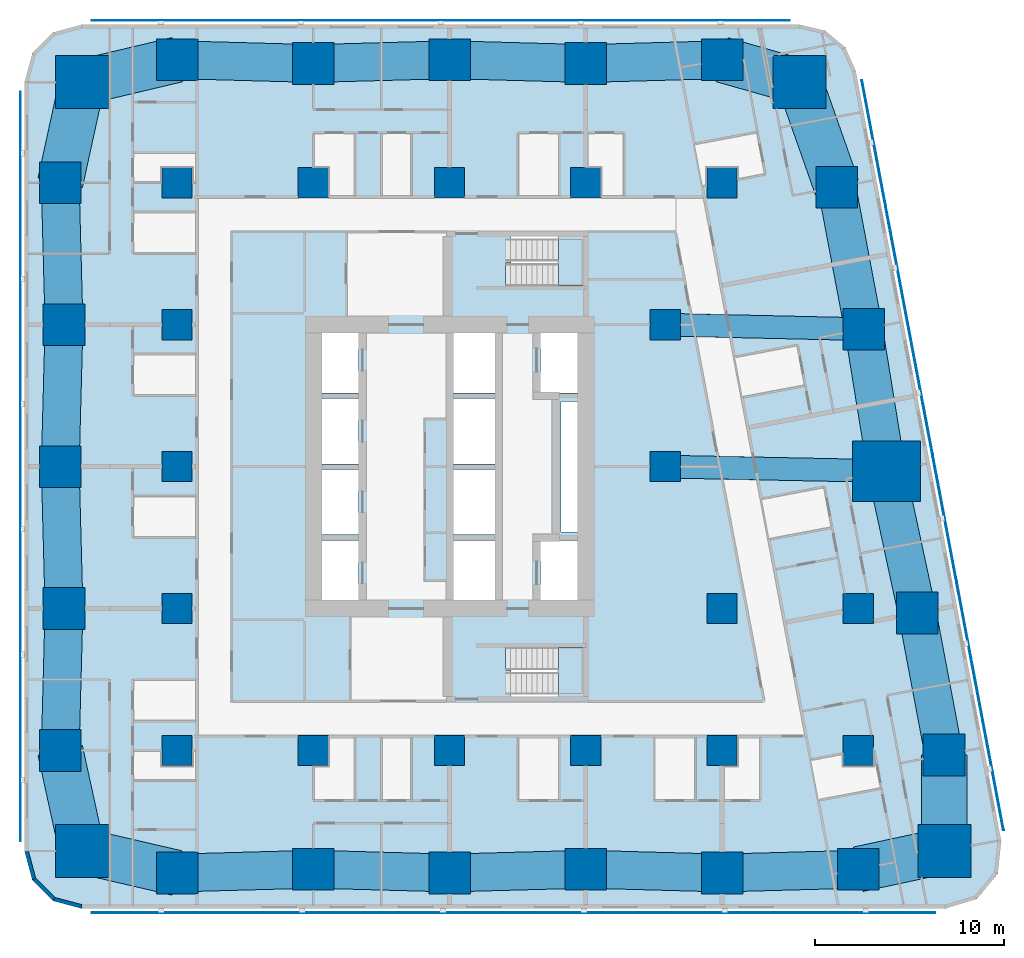
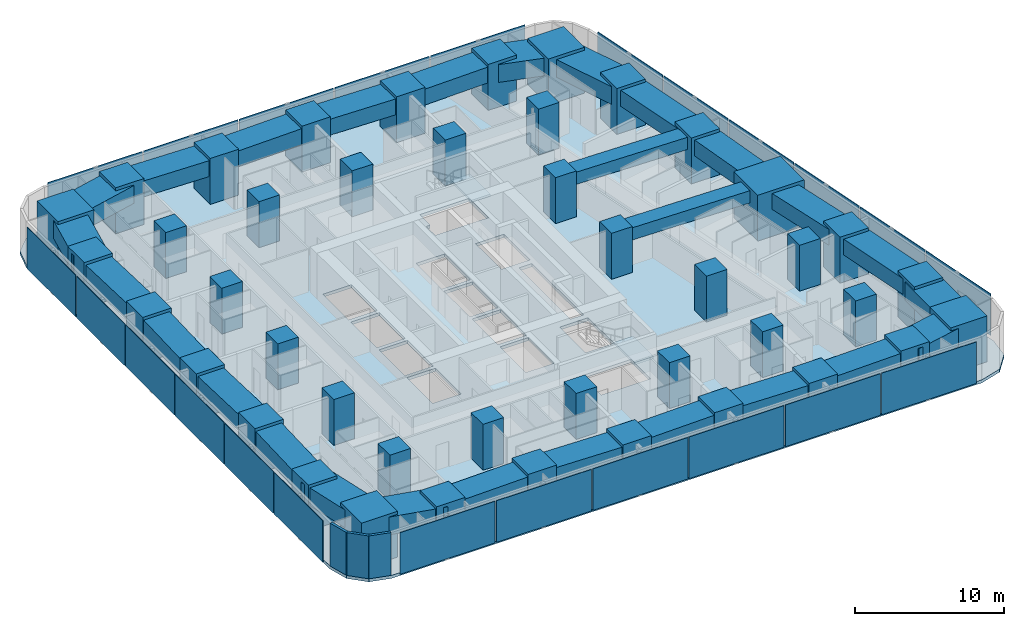
# One storey, part 1 of 14: 43 columns, 27 beams, 23 plates, 3 slabs, 3 walls, 2 elements without a shape of their own.
"""IFC4 building model written with IfcOpenShell, lengths in metres."""

import ifcopenshell
import ifcopenshell.guid

model = None  # the IFC model being written
_history = None  # IfcOwnerHistory: only IFC2X3 demands one
_inside = {}  # id of a spatial element -> (the spatial element, [elements in it])
_under = {}  # id of a project, library or spatial element -> (it, [spatial elements below it])
_declared = {}  # id of a project -> (the project, [libraries it declares])
_typed = {}  # id of a type object -> (the type object, [elements of that type])
_made_of = {}  # id of a material, layer set ... -> (it, [elements and type objects made of it])


def new_model(schema):
    """Start an empty IFC model of exactly this schema.

    Asked for "IFC4X3", IfcOpenShell would pick the latest addendum, in which some entities
    have other attributes; the version numbers below select the first issue.
    IFC2X3 requires an IfcOwnerHistory on every rooted entity: one is made here for all.
    """
    global model, _history
    if schema == "IFC4X3":
        model = ifcopenshell.file(schema_version=(4, 3, 0, 0))
    else:
        model = ifcopenshell.file(schema=schema)
    _inside.clear()
    _under.clear()
    _declared.clear()
    _typed.clear()
    _made_of.clear()
    _history = None
    if model.schema == "IFC2X3":
        org = make("IfcOrganization", Name="unknown")
        user = make(
            "IfcPersonAndOrganization",
            ThePerson=make("IfcPerson", FamilyName="unknown"),
            TheOrganization=org,
        )
        app = make(
            "IfcApplication",
            ApplicationDeveloper=org,
            Version="unknown",
            ApplicationFullName="unknown",
            ApplicationIdentifier="unknown",
        )
        _history = make(
            "IfcOwnerHistory",
            OwningUser=user,
            OwningApplication=app,
            ChangeAction="ADDED",
            CreationDate=0,
        )
    return model


def make(cls, **values):
    """One entity of the class cls with the attributes given. An attribute that is None is left unset."""
    return model.create_entity(
        cls, **{name: value for name, value in values.items() if value is not None}
    )


def rooted(cls, **values):
    """An entity with a GlobalId (a new one), such as an element, a storey or a relation."""
    return make(cls, GlobalId=ifcopenshell.guid.new(), OwnerHistory=_history, **values)


def si_unit(unit_type, name, prefix=None):
    """IfcSIUnit, for example si_unit("LENGTHUNIT", "METRE", prefix="MILLI")."""
    return make("IfcSIUnit", UnitType=unit_type, Prefix=prefix, Name=name)


def assignment(units):
    """IfcUnitAssignment: the units of a project."""
    return None if units is None else make("IfcUnitAssignment", Units=units)


def point(xyz):
    """IfcCartesianPoint."""
    return None if xyz is None else make("IfcCartesianPoint", Coordinates=xyz)


def direction(xyz):
    """IfcDirection."""
    return None if xyz is None else make("IfcDirection", DirectionRatios=xyz)


def frame(location, z_axis=None, x_axis=None):
    """IfcAxis2Placement3D, a coordinate frame: its origin and axes. An axis left out is left unset."""
    return make(
        "IfcAxis2Placement3D",
        Location=point(location),
        Axis=direction(z_axis),
        RefDirection=direction(x_axis),
    )


def frame_2d(location, x_axis=None):
    """IfcAxis2Placement2D, a coordinate frame in the plane: its origin and x axis."""
    return make(
        "IfcAxis2Placement2D", Location=point(location), RefDirection=direction(x_axis)
    )


def origin():
    """The frame at (0, 0, 0) with its axes left unset."""
    return frame((0.0, 0.0, 0.0))


def origin_2d():
    """The frame at (0, 0) in the plane with its x axis left unset."""
    return frame_2d((0.0, 0.0))


def place(relative_to, where):
    """IfcLocalPlacement: puts the frame where relative to a parent placement (None: the world)."""
    return make(
        "IfcLocalPlacement", PlacementRelTo=relative_to, RelativePlacement=where
    )


def context(
    kind, dimensions, precision=None, world=None, true_north=None, identifier=None
):
    """IfcGeometricRepresentationContext, for example the 3D "Model" context."""
    return make(
        "IfcGeometricRepresentationContext",
        ContextIdentifier=identifier,
        ContextType=kind,
        CoordinateSpaceDimension=dimensions,
        Precision=precision,
        WorldCoordinateSystem=world,
        TrueNorth=true_north,
    )


def subcontext(parent, identifier, kind, view, scale=None):
    """IfcGeometricRepresentationSubContext, for example "Body" below "Model"."""
    return make(
        "IfcGeometricRepresentationSubContext",
        ContextIdentifier=identifier,
        ContextType=kind,
        ParentContext=parent,
        TargetScale=scale,
        TargetView=view,
    )


def project(units=None, contexts=None):
    """IfcProject with its units and contexts."""
    return rooted(
        "IfcProject",
        Name="project",
        RepresentationContexts=contexts,
        UnitsInContext=assignment(units),
    )


def spatial(cls, under=None, at=None, **own):
    """A site, building, storey or space (cls), placed at a placement, below another one or the project."""
    s = rooted(cls, ObjectPlacement=at, **own)
    if under is not None:
        _under.setdefault(under.id(), (under, []))[1].append(s)
    return s


def polyline(points):
    """IfcPolyline through the points."""
    return make("IfcPolyline", Points=[point(p) for p in points])


def profile(cls, at=None, kind="AREA", **sizes):
    """A parametric profile (cls). Its sizes go by their IFC names, for example OverallWidth=200.0."""
    return make(cls, ProfileType=kind, Position=at, **sizes)


def rectangle(**sizes):
    """IfcRectangleProfileDef."""
    return profile("IfcRectangleProfileDef", **sizes)


def outline(outer, holes=None, kind="AREA"):
    """IfcArbitraryClosedProfileDef: a profile drawn as a closed curve; with holes, ...WithVoids."""
    if holes is None:
        return make("IfcArbitraryClosedProfileDef", ProfileType=kind, OuterCurve=outer)
    return make(
        "IfcArbitraryProfileDefWithVoids",
        ProfileType=kind,
        OuterCurve=outer,
        InnerCurves=holes,
    )


def extrude(swept, where, along, depth):
    """IfcExtrudedAreaSolid: the profile swept, set in the frame where, extruded along a direction by depth."""
    return make(
        "IfcExtrudedAreaSolid",
        SweptArea=swept,
        Position=where,
        ExtrudedDirection=direction(along),
        Depth=depth,
    )


def shape(context_of_items, identifier, shape_type, items):
    """IfcShapeRepresentation: the items that make up one representation, for example the "Body"."""
    return make(
        "IfcShapeRepresentation",
        ContextOfItems=context_of_items,
        RepresentationIdentifier=identifier,
        RepresentationType=shape_type,
        Items=items,
    )


def material(Name=None, Category=None):
    """IfcMaterial."""
    return make("IfcMaterial", Name=Name, Category=Category)


def layer(
    of_material, thickness, ventilated=None, Name=None, Category=None, Priority=None
):
    """IfcMaterialLayer: one layer of a wall or slab, of a material (None: an air gap)."""
    return make(
        "IfcMaterialLayer",
        Material=of_material,
        LayerThickness=thickness,
        IsVentilated=ventilated,
        Name=Name,
        Category=Category,
        Priority=Priority,
    )


def layer_set(layers, Name=None):
    """IfcMaterialLayerSet."""
    return make("IfcMaterialLayerSet", MaterialLayers=layers, LayerSetName=Name)


def material_profile(
    of_material, cross_section, Name=None, Category=None, Priority=None
):
    """IfcMaterialProfile: a cross section and its material."""
    return make(
        "IfcMaterialProfile",
        Name=Name,
        Material=of_material,
        Profile=cross_section,
        Priority=Priority,
        Category=Category,
    )


def profile_set(profiles, Name=None, composite=None):
    """IfcMaterialProfileSet."""
    return make(
        "IfcMaterialProfileSet",
        Name=Name,
        MaterialProfiles=profiles,
        CompositeProfile=composite,
    )


def made_of(thing, what):
    """Note that an element or type object is made of a material, layer set ...; save() writes the relation."""
    if what is not None:
        _made_of.setdefault(what.id(), (what, []))[1].append(thing)
    return thing


def type_object(cls, material=None, **own):
    """A type object (cls), such as IfcWallType, which elements share."""
    return made_of(rooted(cls, **own), material)


def element(
    cls,
    number,
    at=None,
    inside=None,
    cuts=None,
    type_object=None,
    material=None,
    context=None,
    identifier="Body",
    shape_type=None,
    held_by="IfcProductDefinitionShape",
    body=None,
    shapes=None,
    **own,
):
    """One element of the class cls, such as IfcWall. Its Tag is "e" and its number.

    at: its placement. inside: the storey or other place that contains it. cuts: it is an
    opening in that element (IfcRelVoidsElement). A single representation is given by context,
    identifier, shape_type and body (its items); several are given by shapes. held_by: the class
    of the entity that holds the representations. save() writes the other relations.
    """
    e = rooted(cls, Tag="e%d" % number, ObjectPlacement=at, **own)
    if body is not None:
        shapes = [shape(context, identifier, shape_type, body)]
    if shapes is not None:
        e.Representation = make(held_by, Representations=shapes)
    if inside is not None:
        _inside.setdefault(inside.id(), (inside, []))[1].append(e)
    if cuts is not None:
        rooted(
            "IfcRelVoidsElement", RelatingBuildingElement=cuts, RelatedOpeningElement=e
        )
    if type_object is not None:
        _typed.setdefault(type_object.id(), (type_object, []))[1].append(e)
    return made_of(e, material)


def aggregate(whole, parts):
    """IfcRelAggregates: a whole, such as a stair, and the parts it consists of."""
    return rooted("IfcRelAggregates", RelatingObject=whole, RelatedObjects=parts)


def save(model, path):
    """Write the relations noted so far, then the file.

    IfcRelAggregates (storeys below a building ...), IfcRelContainedInSpatialStructure (elements
    in a storey), IfcRelDefinesByType, IfcRelAssociatesMaterial and IfcRelDeclares: one each for
    every whole, place, type object, material and project.
    """
    for whole, parts in _under.values():
        aggregate(whole, parts)
    for where, things in _inside.values():
        rooted(
            "IfcRelContainedInSpatialStructure",
            RelatedElements=things,
            RelatingStructure=where,
        )
    for kind, things in _typed.values():
        rooted("IfcRelDefinesByType", RelatedObjects=things, RelatingType=kind)
    for what, things in _made_of.values():
        rooted("IfcRelAssociatesMaterial", RelatedObjects=things, RelatingMaterial=what)
    for by, libraries in _declared.values():
        rooted("IfcRelDeclares", RelatingContext=by, RelatedDefinitions=libraries)
    model.write(path)


model = new_model("IFC4")

# Units and contexts
model_context = context("Model", 3, precision=1e-05, world=origin(), true_north=direction((0.0, 1.0)))
body_context = subcontext(model_context, "Body", "Model", "MODEL_VIEW")
ifc_project = project(units=[si_unit("LENGTHUNIT", "METRE"), si_unit("AREAUNIT", "SQUARE_METRE"), si_unit("VOLUMEUNIT", "CUBIC_METRE"), si_unit("PLANEANGLEUNIT", "RADIAN"), si_unit("MASSUNIT", "GRAM", prefix="KILO")], contexts=[model_context])

# Site, building, storey
site_placement = place(None, origin())
site = spatial("IfcSite", under=ifc_project, at=site_placement, CompositionType="ELEMENT")
building_placement = place(site_placement, origin())
building = spatial("IfcBuilding", under=site, at=building_placement, Name="Sheger Commons Tower", CompositionType="ELEMENT")
storey_placement = place(building_placement, frame((0.0, 0.0, 122.89990234375)))
storey = spatial("IfcBuildingStorey", under=building, at=storey_placement, Name="L31", CompositionType="ELEMENT", Elevation=122.89990234375)

# Columns
ifc_material_1 = material(Name="Concrete C50/60", Category="concrete")
ifc_material_profile_1 = material_profile(ifc_material_1, rectangle(XDim=3.60009765625, YDim=3.199951171875, at=origin_2d()), Name="RC 3600x3200")
ifc_profile_set_1 = profile_set([ifc_material_profile_1], Name="Concrete C50/60")
column_type_1 = type_object("IfcColumnType", Name="COLUMN PIER RC 3600x3200", PredefinedType="COLUMN", material=ifc_profile_set_1)
column_placement = place(storey_placement, frame((44.697021484375, 22.262939453125, 0.0), z_axis=(0.0, 0.0, 1.0), x_axis=(1.0, 0.0, 0.0)))
element("IfcColumn", 1, at=column_placement, inside=storey, type_object=column_type_1, Name="Pier 7/D+E/D L31", PredefinedType="COLUMN", context=body_context, shape_type="SweptSolid", body=[
    extrude(rectangle(XDim=3.60009765625, YDim=3.199951171875, at=origin_2d()), origin(), (0.0, 0.0, 1.0), 3.75),
])
ifc_material_2 = material(Name="Concrete C50/60", Category="concrete")
ifc_material_profile_2 = material_profile(ifc_material_2, rectangle(XDim=1.60009765625, YDim=1.60009765625, at=origin_2d()), Name="RC 1600x1600")
ifc_profile_set_2 = profile_set([ifc_material_profile_2], Name="Concrete C50/60")
column_type_2 = type_object("IfcColumnType", Name="COLUMN RC 1600x1600", PredefinedType="COLUMN", material=ifc_profile_set_2)
for number, where, z_axis, x_axis, name in (
    (2, (7.199951171875, 7.5, 0.0), (0.0, 0.0, 1.0), (1.0, 0.0, 0.0), "Column 2/B L31"),
    (3, (14.39990234375, 7.5, 0.0), (0.0, 0.0, 1.0), (1.0, 0.0, 0.0), "Column 3/B L31"),
    (4, (21.60009765625, 7.5, 0.0), (0.0, 0.0, 1.0), (1.0, 0.0, 0.0), "Column 4/B L31"),
    (5, (28.800048828125, 7.5, 0.0), (0.0, 0.0, 1.0), (1.0, 0.0, 0.0), "Column 5/B L31"),
    (6, (36.0, 7.5, 0.0), (0.0, 0.0, 1.0), (1.0, 0.0, 0.0), "Column 6/B L31"),
    (7, (43.199951171875, 7.5, 0.0), (0.0, 0.0, 1.0), (1.0, 0.0, 0.0), "Column 7/B L31"),
    (8, (7.199951171875, 15.0, 0.0), (0.0, 0.0, 1.0), (1.0, 0.0, 0.0), "Column 2/C L31"),
    (9, (36.0, 15.0, 0.0), (0.0, 0.0, 1.0), (1.0, 0.0, 0.0), "Column 6/C L31"),
    (10, (43.199951171875, 15.0, 0.0), (0.0, 0.0, 1.0), (1.0, 0.0, 0.0), "Column 7/C L31"),
    (11, (7.199951171875, 22.5, 0.0), (0.0, 0.0, 1.0), (1.0, 0.0, 0.0), "Column 2/D L31"),
    (12, (33.0, 22.5, 0.0), (0.0, 0.0, 1.0), (1.0, 0.0, 0.0), "Column 6-3000/D L31"),
    (13, (7.199951171875, 30.0, 0.0), (0.0, 0.0, 1.0), (1.0, 0.0, 0.0), "Column 2/E L31"),
    (14, (33.0, 30.0, 0.0), (0.0, 0.0, 1.0), (1.0, 0.0, 0.0), "Column 6-3000/E L31"),
    (15, (7.199951171875, 37.5, 0.0), (0.0, 0.0, 1.0), (1.0, 0.0, 0.0), "Column 2/F L31"),
    (16, (14.39990234375, 37.5, 0.0), (0.0, 0.0, 1.0), (1.0, 0.0, 0.0), "Column 3/F L31"),
    (17, (21.60009765625, 37.5, 0.0), (0.0, 0.0, 1.0), (1.0, 0.0, 0.0), "Column 4/F L31"),
    (18, (28.800048828125, 37.5, 0.0), (0.0, 0.0, 1.0), (1.0, 0.0, 0.0), "Column 5/F L31"),
    (19, (36.0, 37.5, 0.0), (0.0, 0.0, 1.0), (1.0, 0.0, 0.0), "Column 6/F L31"),
):
    element("IfcColumn", number, at=place(storey_placement, frame(where, z_axis=z_axis, x_axis=x_axis)), inside=storey, type_object=column_type_2, Name=name, PredefinedType="COLUMN", context=body_context, shape_type="SweptSolid", body=[
        extrude(rectangle(XDim=1.60009765625, YDim=1.60009765625, at=origin_2d()), origin(), (0.0, 0.0, 1.0), 3.75),
    ])
ifc_material_3 = material(Name="Concrete C50/60", Category="concrete")
ifc_material_profile_3 = material_profile(ifc_material_3, rectangle(XDim=2.199951171875, YDim=2.199951171875, at=origin_2d()), Name="RC 2200x2200")
ifc_profile_set_3 = profile_set([ifc_material_profile_3], Name="Concrete C50/60")
column_type_3 = type_object("IfcColumnType", Name="COLUMN RC 2200x2200", PredefinedType="COLUMN", material=ifc_profile_set_3)
for number, where, z_axis, x_axis, name in (
    (20, (7.199951171875, 1.02490234375, 0.0), (0.0, 0.0, 1.0), (1.0, 0.0, 0.0), "Column 2/A L31"),
    (21, (14.39990234375, 1.22509765625, 0.0), (0.0, 0.0, 1.0), (1.0, 0.0, 0.0), "Column 3/A L31"),
    (22, (21.60009765625, 1.02490234375, 0.0), (0.0, 0.0, 1.0), (1.0, 0.0, 0.0), "Column 4/A L31"),
    (23, (28.800048828125, 1.22509765625, 0.0), (0.0, 0.0, 1.0), (1.0, 0.0, 0.0), "Column 5/A L31"),
    (24, (36.0, 1.02490234375, 0.0), (0.0, 0.0, 1.0), (1.0, 0.0, 0.0), "Column 6/A L31"),
    (25, (43.199951171875, 1.22509765625, 0.0), (0.0, 0.0, 1.0), (1.0, 0.0, 0.0), "Column 7/A L31"),
    (26, (1.02490234375, 7.5, 0.0), (0.0, 0.0, 1.0), (1.0, 0.0, 0.0), "Column 1/B L31"),
    (27, (47.72998046875, 7.262939453125, 0.0), (0.0, 0.0, 1.0), (1.0, 0.0, 0.0), "Column E/B L31"),
    (28, (1.22509765625, 15.0, 0.0), (0.0, 0.0, 1.0), (1.0, 0.0, 0.0), "Column 1/C L31"),
    (29, (46.31396484375, 14.762939453125, 0.0), (0.0, 0.0, 1.0), (1.0, 0.0, 0.0), "Column E/C L31"),
    (30, (1.02490234375, 22.5, 0.0), (0.0, 0.0, 1.0), (1.0, 0.0, 0.0), "Column 1/D L31"),
    (31, (1.22509765625, 30.0, 0.0), (0.0, 0.0, 1.0), (1.0, 0.0, 0.0), "Column 1/E L31"),
    (32, (43.47998046875, 29.762939453125, 0.0), (0.0, 0.0, 1.0), (1.0, 0.0, 0.0), "Column E/E L31"),
    (33, (1.02490234375, 37.5, 0.0), (0.0, 0.0, 1.0), (1.0, 0.0, 0.0), "Column 1/F L31"),
    (34, (42.06396484375, 37.262939453125, 0.0), (0.0, 0.0, 1.0), (1.0, 0.0, 0.0), "Column E/F L31"),
    (35, (7.199951171875, 44.0, 0.0), (0.0, 0.0, 1.0), (1.0, 0.0, 0.0), "Column 2/G L31"),
    (36, (14.39990234375, 43.800048828125, 0.0), (0.0, 0.0, 1.0), (1.0, 0.0, 0.0), "Column 3/G L31"),
    (37, (21.60009765625, 44.0, 0.0), (0.0, 0.0, 1.0), (1.0, 0.0, 0.0), "Column 4/G L31"),
    (38, (28.800048828125, 43.800048828125, 0.0), (0.0, 0.0, 1.0), (1.0, 0.0, 0.0), "Column 5/G L31"),
    (39, (36.0, 44.0, 0.0), (0.0, 0.0, 1.0), (1.0, 0.0, 0.0), "Column 6/G L31"),
):
    element("IfcColumn", number, at=place(storey_placement, frame(where, z_axis=z_axis, x_axis=x_axis)), inside=storey, type_object=column_type_3, Name=name, PredefinedType="COLUMN", context=body_context, shape_type="SweptSolid", body=[
        extrude(rectangle(XDim=2.199951171875, YDim=2.199951171875, at=origin_2d()), origin(), (0.0, 0.0, 1.0), 3.75),
    ])
ifc_material_4 = material(Name="Concrete C50/60", Category="concrete")
ifc_material_profile_4 = material_profile(ifc_material_4, rectangle(XDim=2.800048828125, YDim=2.800048828125, at=origin_2d()), Name="RC 2800x2800")
ifc_profile_set_4 = profile_set([ifc_material_profile_4], Name="Concrete C50/60")
column_type_4 = type_object("IfcColumnType", Name="COLUMN RC 2800x2800", PredefinedType="COLUMN", material=ifc_profile_set_4)
for number, where, z_axis, x_axis, name in (
    (40, (2.18603515625, 2.18603515625, 0.0), (0.0, 0.0, 1.0), (1.0, 0.0, 0.0), "Column 0.630,0.630 L31"),
    (41, (47.748046875, 2.197021484375, 0.0), (0.0, 0.0, 1.0), (1.0, 0.0, 0.0), "Column 49.461,0.778 L31"),
    (42, (2.18603515625, 42.81396484375, 0.0), (0.0, 0.0, 1.0), (1.0, 0.0, 0.0), "Column 0.630,44.370 L31"),
    (43, (40.10205078125, 42.830078125, 0.0), (0.0, 0.0, 1.0), (1.0, 0.0, 0.0), "Column 41.490,44.505 L31"),
):
    element("IfcColumn", number, at=place(storey_placement, frame(where, z_axis=z_axis, x_axis=x_axis)), inside=storey, type_object=column_type_4, Name=name, PredefinedType="COLUMN", context=body_context, shape_type="SweptSolid", body=[
        extrude(rectangle(XDim=2.800048828125, YDim=2.800048828125, at=origin_2d()), origin(), (0.0, 0.0, 1.0), 3.75),
    ])

# Beams
ifc_material_5 = material(Name="Concrete C50/60", Category="concrete")
ifc_material_profile_5 = material_profile(ifc_material_5, rectangle(XDim=1.199951171875, YDim=1.0, at=origin_2d()), Name="RC 1200x1000")
ifc_profile_set_5 = profile_set([ifc_material_profile_5], Name="Concrete C50/60")
beam_type_1 = type_object("IfcBeamType", Name="BEAM RC 1200x1000", PredefinedType="BEAM", material=ifc_profile_set_5)
beam_1_placement = place(storey_placement, frame((33.0, 22.5, 3.0), z_axis=(0.999794692776, -0.02026258368, 0.0), x_axis=(0.02026258368, 0.999794692776, 0.0)))
element("IfcBeam", 44, at=beam_1_placement, inside=storey, type_object=beam_type_1, Name="Beam 6-3000/D-7/D under L32", PredefinedType="BEAM", context=body_context, shape_type="SweptSolid", body=[
    extrude(rectangle(XDim=1.199951171875, YDim=1.0, at=origin_2d()), origin(), (0.0, 0.0, 1.0), 11.699462890625),
])
beam_2_placement = place(storey_placement, frame((33.0, 30.0, 3.0), z_axis=(0.999744258625, -0.022614538395, 0.0), x_axis=(0.022614538395, 0.999744258625, 0.0)))
element("IfcBeam", 45, at=beam_2_placement, inside=storey, type_object=beam_type_1, Name="Beam 6-3000/E-E/E under L32", PredefinedType="BEAM", context=body_context, shape_type="SweptSolid", body=[
    extrude(rectangle(XDim=1.199951171875, YDim=1.0, at=origin_2d()), origin(), (0.0, 0.0, 1.0), 10.482666015625),
])
ifc_material_6 = material(Name="Concrete C50/60", Category="concrete")
ifc_material_profile_6 = material_profile(ifc_material_6, rectangle(XDim=2.0, YDim=1.300048828125, at=origin_2d()), Name="RC 2000x1300")
ifc_profile_set_6 = profile_set([ifc_material_profile_6], Name="Concrete C50/60")
beam_type_2 = type_object("IfcBeamType", Name="SPANDREL RC 2000x1300", PredefinedType="SPANDREL", material=ifc_profile_set_6)
beam_3_placement = place(storey_placement, frame((7.199951171875, 1.02490234375, 2.85009765625), z_axis=(0.9996136624, 0.027794350926, 0.0), x_axis=(-0.027794350926, 0.9996136624, 0.0)))
element("IfcBeam", 46, at=beam_3_placement, inside=storey, type_object=beam_type_2, Name="Beam 2/A-3/A under L32", PredefinedType="SPANDREL", context=body_context, shape_type="SweptSolid", body=[
    extrude(rectangle(XDim=2.0, YDim=1.300048828125, at=origin_2d()), origin(), (0.0, 0.0, 1.0), 7.20263671875),
])
beam_4_placement = place(storey_placement, frame((14.39990234375, 1.22509765625, 2.85009765625), z_axis=(0.999613688584, -0.027793409217, 0.0), x_axis=(0.027793409217, 0.999613688584, 0.0)))
element("IfcBeam", 47, at=beam_4_placement, inside=storey, type_object=beam_type_2, Name="Beam 3/A-4/A under L32", PredefinedType="SPANDREL", context=body_context, shape_type="SweptSolid", body=[
    extrude(rectangle(XDim=2.0, YDim=1.300048828125, at=origin_2d()), origin(), (0.0, 0.0, 1.0), 7.202880859375),
])
for number, where, z_axis, x_axis, name in (
    (48, (21.60009765625, 1.02490234375, 2.85009765625), (0.9996136624, 0.027794350926, 0.0), (-0.027794350926, 0.9996136624, 0.0), "Beam 4/A-5/A under L32"),
    (49, (28.800048828125, 1.22509765625, 2.85009765625), (0.9996136624, -0.027794350926, 0.0), (0.027794350926, 0.9996136624, 0.0), "Beam 5/A-6/A under L32"),
    (50, (36.0, 1.02490234375, 2.85009765625), (0.9996136624, 0.027794350926, 0.0), (-0.027794350926, 0.9996136624, 0.0), "Beam 6/A-7/A under L32"),
):
    element("IfcBeam", number, at=place(storey_placement, frame(where, z_axis=z_axis, x_axis=x_axis)), inside=storey, type_object=beam_type_2, Name=name, PredefinedType="SPANDREL", context=body_context, shape_type="SweptSolid", body=[
        extrude(rectangle(XDim=2.0, YDim=1.300048828125, at=origin_2d()), origin(), (0.0, 0.0, 1.0), 7.20263671875),
    ])
beam_5_placement = place(storey_placement, frame((47.72998046875, 7.262939453125, 2.85009765625), z_axis=(-0.18552441405, 0.982639655108, 0.0), x_axis=(-0.982639655108, -0.18552441405, 0.0)))
element("IfcBeam", 51, at=beam_5_placement, inside=storey, type_object=beam_type_2, Name="Beam E/B-E/C under L32", PredefinedType="SPANDREL", context=body_context, shape_type="SweptSolid", body=[
    extrude(rectangle(XDim=2.0, YDim=1.300048828125, at=origin_2d()), origin(), (0.0, 0.0, 1.0), 7.632568359375),
])
beam_6_placement = place(storey_placement, frame((46.31396484375, 14.762939453125, 2.85009765625), z_axis=(-0.210750229323, 0.977539943348, 0.0), x_axis=(-0.977539943348, -0.210750229323, 0.0)))
element("IfcBeam", 52, at=beam_6_placement, inside=storey, type_object=beam_type_2, Name="Beam E/C-E/D under L32", PredefinedType="SPANDREL", context=body_context, shape_type="SweptSolid", body=[
    extrude(rectangle(XDim=2.0, YDim=1.300048828125, at=origin_2d()), origin(), (0.0, 0.0, 1.0), 7.67236328125),
])
beam_7_placement = place(storey_placement, frame((44.697021484375, 22.262939453125, 2.85009765625), z_axis=(-0.160176929512, 0.987088319884, 0.0), x_axis=(-0.987088319884, -0.160176929512, 0.0)))
element("IfcBeam", 53, at=beam_7_placement, inside=storey, type_object=beam_type_2, Name="Beam E/D-E/E under L32", PredefinedType="SPANDREL", context=body_context, shape_type="SweptSolid", body=[
    extrude(rectangle(XDim=2.0, YDim=1.300048828125, at=origin_2d()), origin(), (0.0, 0.0, 1.0), 7.59814453125),
])
beam_8_placement = place(storey_placement, frame((43.47998046875, 29.762939453125, 2.85009765625), z_axis=(-0.18552441405, 0.982639655108, 0.0), x_axis=(-0.982639655108, -0.18552441405, 0.0)))
element("IfcBeam", 54, at=beam_8_placement, inside=storey, type_object=beam_type_2, Name="Beam E/E-E/F under L32", PredefinedType="SPANDREL", context=body_context, shape_type="SweptSolid", body=[
    extrude(rectangle(XDim=2.0, YDim=1.300048828125, at=origin_2d()), origin(), (0.0, 0.0, 1.0), 7.632568359375),
])
for number, where, z_axis, x_axis, name in (
    (55, (36.0, 44.0, 2.85009765625), (-0.999614603568, -0.027760481514, 0.0), (0.027760481514, -0.999614603568, 0.0), "Beam 6/G-5/G under L32"),
    (56, (28.800048828125, 43.800048828125, 2.85009765625), (-0.999614603568, 0.027760481514, 0.0), (-0.027760481514, -0.999614603568, 0.0), "Beam 5/G-4/G under L32"),
):
    element("IfcBeam", number, at=place(storey_placement, frame(where, z_axis=z_axis, x_axis=x_axis)), inside=storey, type_object=beam_type_2, Name=name, PredefinedType="SPANDREL", context=body_context, shape_type="SweptSolid", body=[
        extrude(rectangle(XDim=2.0, YDim=1.300048828125, at=origin_2d()), origin(), (0.0, 0.0, 1.0), 7.20263671875),
    ])
beam_9_placement = place(storey_placement, frame((21.60009765625, 44.0, 2.85009765625), z_axis=(-0.999614629688, -0.027759540951, 0.0), x_axis=(0.027759540951, -0.999614629688, 0.0)))
element("IfcBeam", 57, at=beam_9_placement, inside=storey, type_object=beam_type_2, Name="Beam 4/G-3/G under L32", PredefinedType="SPANDREL", context=body_context, shape_type="SweptSolid", body=[
    extrude(rectangle(XDim=2.0, YDim=1.300048828125, at=origin_2d()), origin(), (0.0, 0.0, 1.0), 7.202880859375),
])
beam_10_placement = place(storey_placement, frame((14.39990234375, 43.800048828125, 2.85009765625), z_axis=(-0.999614603568, 0.027760481514, 0.0), x_axis=(-0.027760481514, -0.999614603568, 0.0)))
element("IfcBeam", 58, at=beam_10_placement, inside=storey, type_object=beam_type_2, Name="Beam 3/G-2/G under L32", PredefinedType="SPANDREL", context=body_context, shape_type="SweptSolid", body=[
    extrude(rectangle(XDim=2.0, YDim=1.300048828125, at=origin_2d()), origin(), (0.0, 0.0, 1.0), 7.20263671875),
])
for number, where, z_axis, x_axis, name in (
    (59, (1.02490234375, 37.5, 2.85009765625), (0.026683204125, -0.999643939919, 0.0), (0.999643939919, 0.026683204125, 0.0), "Beam 1/F-1/E under L32"),
    (60, (1.22509765625, 30.0, 2.85009765625), (-0.026683204125, -0.999643939919, 0.0), (0.999643939919, -0.026683204125, 0.0), "Beam 1/E-1/D under L32"),
    (61, (1.02490234375, 22.5, 2.85009765625), (0.026683204125, -0.999643939919, 0.0), (0.999643939919, 0.026683204125, 0.0), "Beam 1/D-1/C under L32"),
    (62, (1.22509765625, 15.0, 2.85009765625), (-0.026683204125, -0.999643939919, 0.0), (0.999643939919, -0.026683204125, 0.0), "Beam 1/C-1/B under L32"),
):
    element("IfcBeam", number, at=place(storey_placement, frame(where, z_axis=z_axis, x_axis=x_axis)), inside=storey, type_object=beam_type_2, Name=name, PredefinedType="SPANDREL", context=body_context, shape_type="SweptSolid", body=[
        extrude(rectangle(XDim=2.0, YDim=1.300048828125, at=origin_2d()), origin(), (0.0, 0.0, 1.0), 7.502685546875),
    ])
ifc_material_7 = material(Name="Concrete C50/60", Category="concrete")
ifc_material_profile_7 = material_profile(ifc_material_7, rectangle(XDim=2.39990234375, YDim=1.449951171875, at=origin_2d()), Name="RC 2400x1450")
ifc_profile_set_7 = profile_set([ifc_material_profile_7], Name="Concrete C50/60")
beam_type_3 = type_object("IfcBeamType", Name="SPANDREL RC 2400x1450", PredefinedType="SPANDREL", material=ifc_profile_set_7)
beam_11_placement = place(storey_placement, frame((2.18603515625, 2.18603515625, 2.775146484375), z_axis=(0.974217413499, -0.225611239159, 0.0), x_axis=(0.225611239159, 0.974217413499, 0.0)))
element("IfcBeam", 63, at=beam_11_placement, inside=storey, type_object=beam_type_3, Name="Beam 0.630,0.630-2/A under L32", PredefinedType="SPANDREL", context=body_context, shape_type="SweptSolid", body=[
    extrude(rectangle(XDim=2.39990234375, YDim=1.449951171875, at=origin_2d()), origin(), (0.0, 0.0, 1.0), 5.146728515625),
])
beam_12_placement = place(storey_placement, frame((43.199951171875, 1.22509765625, 2.775146484375), z_axis=(0.977919796671, 0.208980552394, 0.0), x_axis=(-0.208980552394, 0.977919796671, 0.0)))
element("IfcBeam", 64, at=beam_12_placement, inside=storey, type_object=beam_type_3, Name="Beam 7/A-49.461,0.778 under L32", PredefinedType="SPANDREL", context=body_context, shape_type="SweptSolid", body=[
    extrude(rectangle(XDim=2.39990234375, YDim=1.449951171875, at=origin_2d()), origin(), (0.0, 0.0, 1.0), 4.65087890625),
])
beam_13_placement = place(storey_placement, frame((47.748046875, 2.197021484375, 2.775146484375), z_axis=(-0.003566242382, 0.999993640937, 0.0), x_axis=(-0.999993640937, -0.003566242382, 0.0)))
element("IfcBeam", 65, at=beam_13_placement, inside=storey, type_object=beam_type_3, Name="Beam 49.461,0.778-E/B under L32", PredefinedType="SPANDREL", context=body_context, shape_type="SweptSolid", body=[
    extrude(rectangle(XDim=2.39990234375, YDim=1.449951171875, at=origin_2d()), origin(), (0.0, 0.0, 1.0), 5.06591796875),
])
beam_14_placement = place(storey_placement, frame((42.06396484375, 37.262939453125, 2.775146484375), z_axis=(-0.332374403357, 0.943147526102, 0.0), x_axis=(-0.943147526102, -0.332374403357, 0.0)))
element("IfcBeam", 66, at=beam_14_placement, inside=storey, type_object=beam_type_3, Name="Beam E/F-41.490,44.505 under L32", PredefinedType="SPANDREL", context=body_context, shape_type="SweptSolid", body=[
    extrude(rectangle(XDim=2.39990234375, YDim=1.449951171875, at=origin_2d()), origin(), (0.0, 0.0, 1.0), 5.90283203125),
])
beam_15_placement = place(storey_placement, frame((40.10205078125, 42.830078125, 2.775146484375), z_axis=(-0.961653428129, 0.274267541221, 0.0), x_axis=(-0.274267541221, -0.961653428129, 0.0)))
element("IfcBeam", 67, at=beam_15_placement, inside=storey, type_object=beam_type_3, Name="Beam 41.490,44.505-6/G under L32", PredefinedType="SPANDREL", context=body_context, shape_type="SweptSolid", body=[
    extrude(rectangle(XDim=2.39990234375, YDim=1.449951171875, at=origin_2d()), origin(), (0.0, 0.0, 1.0), 4.265625),
])
beam_16_placement = place(storey_placement, frame((7.199951171875, 44.0, 2.775146484375), z_axis=(-0.97314428949, -0.230195985701, 0.0), x_axis=(0.230195985701, -0.97314428949, 0.0)))
element("IfcBeam", 68, at=beam_16_placement, inside=storey, type_object=beam_type_3, Name="Beam 2/G-0.630,44.370 under L32", PredefinedType="SPANDREL", context=body_context, shape_type="SweptSolid", body=[
    extrude(rectangle(XDim=2.39990234375, YDim=1.449951171875, at=origin_2d()), origin(), (0.0, 0.0, 1.0), 5.15234375),
])
for number, where, z_axis, x_axis, name in (
    (69, (2.18603515625, 42.81396484375, 2.775146484375), (-0.213469314652, -0.976949769283, 0.0), (0.976949769283, -0.213469314652, 0.0), "Beam 0.630,44.370-1/F under L32"),
    (70, (1.02490234375, 7.5, 2.775146484375), (0.213469314652, -0.976949769283, 0.0), (0.976949769283, 0.213469314652, 0.0), "Beam 1/B-0.630,0.630 under L32"),
):
    element("IfcBeam", number, at=place(storey_placement, frame(where, z_axis=z_axis, x_axis=x_axis)), inside=storey, type_object=beam_type_3, Name=name, PredefinedType="SPANDREL", context=body_context, shape_type="SweptSolid", body=[
        extrude(rectangle(XDim=2.39990234375, YDim=1.449951171875, at=origin_2d()), origin(), (0.0, 0.0, 1.0), 5.439453125),
    ])

# Slab
ifc_material_8 = material(Name="Concrete C35/45", Category="concrete")
ifc_layer_1 = layer(ifc_material_8, 0.25)
ifc_layer_set_1 = layer_set([ifc_layer_1], Name="SLAB FLOOR 250")
slab_type_1 = type_object("IfcSlabType", Name="SLAB FLOOR 250", PredefinedType="FLOOR", material=ifc_layer_set_1)
slab_1_placement = place(storey_placement, frame((0.0, 0.0, -0.25)))
element("IfcSlab", 71, at=slab_1_placement, inside=storey, type_object=slab_type_1, Name="L31 floor slab", PredefinedType="FLOOR", context=body_context, shape_type="SweptSolid", body=[
    extrude(outline(polyline([(-0.85009765625, 2.14990234375), (-0.447998046875, 0.64990234375), (0.64990234375, -0.447998046875), (2.14990234375, -0.85009765625), (47.805908203125, -0.85009765625), (49.465087890625, -0.35009765625), (50.570068359375, 0.98388671875), (50.75390625, 2.70703125), (43.06591796875, 43.406982421875), (42.509033203125, 44.660888671875), (41.452880859375, 45.535888671875), (40.117919921875, 45.85009765625), (2.14990234375, 45.85009765625), (0.64990234375, 45.447998046875), (-0.447998046875, 44.35009765625), (-0.85009765625, 42.85009765625), (-0.85009765625, 2.14990234375)]), holes=[polyline([(24.85009765625, 10.35009765625), (28.64990234375, 10.35009765625), (28.64990234375, 12.949951171875), (24.551025390625, 12.949951171875), (24.551025390625, 11.75), (24.85009765625, 11.75), (24.85009765625, 10.35009765625)]), polyline([(24.551025390625, 32.050048828125), (28.64990234375, 32.050048828125), (28.64990234375, 34.64990234375), (24.85009765625, 34.64990234375), (24.85009765625, 33.25), (24.551025390625, 33.25), (24.551025390625, 32.050048828125)]), polyline([(26.39990234375, 15.14990234375), (28.60009765625, 15.14990234375), (28.60009765625, 18.60009765625), (26.39990234375, 18.60009765625), (26.39990234375, 15.14990234375)]), polyline([(26.39990234375, 26.39990234375), (28.60009765625, 26.39990234375), (28.60009765625, 29.85009765625), (26.39990234375, 29.85009765625), (26.39990234375, 26.39990234375)]), polyline([(14.60009765625, 15.14990234375), (16.800048828125, 15.14990234375), (16.800048828125, 18.60009765625), (14.60009765625, 18.60009765625), (14.60009765625, 15.14990234375)]), polyline([(14.60009765625, 18.89990234375), (16.800048828125, 18.89990234375), (16.800048828125, 22.35009765625), (14.60009765625, 22.35009765625), (14.60009765625, 18.89990234375)]), polyline([(14.60009765625, 22.64990234375), (16.800048828125, 22.64990234375), (16.800048828125, 26.10009765625), (14.60009765625, 26.10009765625), (14.60009765625, 22.64990234375)]), polyline([(14.60009765625, 26.39990234375), (16.800048828125, 26.39990234375), (16.800048828125, 29.85009765625), (14.60009765625, 29.85009765625), (14.60009765625, 26.39990234375)]), polyline([(21.800048828125, 15.14990234375), (24.0, 15.14990234375), (24.0, 18.60009765625), (21.800048828125, 18.60009765625), (21.800048828125, 15.14990234375)]), polyline([(21.800048828125, 18.89990234375), (24.0, 18.89990234375), (24.0, 22.35009765625), (21.800048828125, 22.35009765625), (21.800048828125, 18.89990234375)]), polyline([(21.800048828125, 22.64990234375), (24.0, 22.64990234375), (24.0, 26.10009765625), (21.800048828125, 26.10009765625), (21.800048828125, 22.64990234375)]), polyline([(21.800048828125, 26.39990234375), (24.0, 26.39990234375), (24.0, 29.85009765625), (21.800048828125, 29.85009765625), (21.800048828125, 26.39990234375)]), polyline([(27.5, 19.050048828125), (28.5, 19.050048828125), (28.5, 25.949951171875), (27.5, 25.949951171875), (27.5, 19.050048828125)])]), origin(), (0.0, 0.0, 1.0), 0.25),
])

# Plates
ifc_material_9 = material(Name="Perforated black anodised aluminium screen", Category="aluminium")
ifc_layer_2 = layer(ifc_material_9, 0.050048828125)
ifc_layer_set_2 = layer_set([ifc_layer_2], Name="SOLAR SCREEN SCREEN-1")
plate_type = type_object("IfcPlateType", Name="SOLAR SCREEN SCREEN-1", PredefinedType="USERDEFINED", material=ifc_layer_set_2)
for number, where, z_axis, x_axis, name in (
    (72, (6.37109375, -1.074951171875, 0.050048828125), (0.0, 0.0, 1.0), (1.0, 0.0, 0.0), "Perforated solar screen panel"),
    (73, (13.81396484375, -1.074951171875, 0.050048828125), (0.0, 0.0, 1.0), (1.0, 0.0, 0.0), "Perforated solar screen panel"),
    (74, (21.257080078125, -1.074951171875, 0.050048828125), (0.0, 0.0, 1.0), (1.0, 0.0, 0.0), "Perforated solar screen panel"),
    (75, (28.698974609375, -1.074951171875, 0.050048828125), (0.0, 0.0, 1.0), (1.0, 0.0, 0.0), "Perforated solar screen panel"),
    (76, (36.14208984375, -1.074951171875, 0.050048828125), (0.0, 0.0, 1.0), (1.0, 0.0, 0.0), "Perforated solar screen panel"),
    (77, (43.5849609375, -1.074951171875, 0.050048828125), (0.0, 0.0, 1.0), (1.0, 0.0, 0.0), "Perforated solar screen panel"),
):
    element("IfcPlate", number, at=place(storey_placement, frame(where, z_axis=z_axis, x_axis=x_axis)), inside=storey, type_object=plate_type, Name=name, ObjectType="SCREEN", PredefinedType="USERDEFINED", context=body_context, shape_type="SweptSolid", body=[
        extrude(rectangle(XDim=7.343017578125, YDim=0.050048828125, at=origin_2d()), origin(), (0.0, 0.0, 1.0), 3.39990234375),
    ])
for number, where, z_axis, x_axis, name in (
    (78, (50.257080078125, 6.550048828125, 0.050048828125), (0.0, 0.0, 1.0), (-0.185615165645, 0.982622516678, 0.0), "Perforated solar screen panel"),
    (79, (49.007080078125, 13.1689453125, 0.050048828125), (0.0, 0.0, 1.0), (-0.185615165645, 0.982622516678, 0.0), "Perforated solar screen panel"),
    (80, (47.756103515625, 19.7890625, 0.050048828125), (0.0, 0.0, 1.0), (-0.185615165645, 0.982622516678, 0.0), "Perforated solar screen panel"),
    (81, (46.506103515625, 26.408935546875, 0.050048828125), (0.0, 0.0, 1.0), (-0.185615165645, 0.982622516678, 0.0), "Perforated solar screen panel"),
    (82, (45.2548828125, 33.028076171875, 0.050048828125), (0.0, 0.0, 1.0), (-0.185615165645, 0.982622516678, 0.0), "Perforated solar screen panel"),
    (83, (44.0048828125, 39.64794921875, 0.050048828125), (0.0, 0.0, 1.0), (-0.185615165645, 0.982622516678, 0.0), "Perforated solar screen panel"),
):
    element("IfcPlate", number, at=place(storey_placement, frame(where, z_axis=z_axis, x_axis=x_axis)), inside=storey, type_object=plate_type, Name=name, ObjectType="SCREEN", PredefinedType="USERDEFINED", context=body_context, shape_type="SweptSolid", body=[
        extrude(rectangle(XDim=6.636962890625, YDim=0.050048828125, at=origin_2d()), origin(), (0.0, 0.0, 1.0), 3.39990234375),
    ])
for number, where, z_axis, x_axis, name in (
    (84, (35.9208984375, 46.074951171875, 0.050048828125), (0.0, 0.0, 1.0), (-1.0, 0.0, 0.0), "Perforated solar screen panel"),
    (85, (28.528076171875, 46.074951171875, 0.050048828125), (0.0, 0.0, 1.0), (-1.0, 0.0, 0.0), "Perforated solar screen panel"),
    (86, (21.134033203125, 46.074951171875, 0.050048828125), (0.0, 0.0, 1.0), (-1.0, 0.0, 0.0), "Perforated solar screen panel"),
    (87, (13.739990234375, 46.074951171875, 0.050048828125), (0.0, 0.0, 1.0), (-1.0, 0.0, 0.0), "Perforated solar screen panel"),
    (88, (6.346923828125, 46.074951171875, 0.050048828125), (0.0, 0.0, 1.0), (-1.0, 0.0, 0.0), "Perforated solar screen panel"),
):
    element("IfcPlate", number, at=place(storey_placement, frame(where, z_axis=z_axis, x_axis=x_axis)), inside=storey, type_object=plate_type, Name=name, ObjectType="SCREEN", PredefinedType="USERDEFINED", context=body_context, shape_type="SweptSolid", body=[
        extrude(rectangle(XDim=7.2939453125, YDim=0.050048828125, at=origin_2d()), origin(), (0.0, 0.0, 1.0), 3.39990234375),
    ])
for number, where, z_axis, x_axis, name in (
    (89, (-1.074951171875, 39.0419921875, 0.050048828125), (0.0, 0.0, 1.0), (0.0, -1.0, 0.0), "Perforated solar screen panel"),
    (90, (-1.074951171875, 32.425048828125, 0.050048828125), (0.0, 0.0, 1.0), (0.0, -1.0, 0.0), "Perforated solar screen panel"),
    (91, (-1.074951171875, 25.80810546875, 0.050048828125), (0.0, 0.0, 1.0), (0.0, -1.0, 0.0), "Perforated solar screen panel"),
    (92, (-1.074951171875, 19.19189453125, 0.050048828125), (0.0, 0.0, 1.0), (0.0, -1.0, 0.0), "Perforated solar screen panel"),
    (93, (-1.074951171875, 12.574951171875, 0.050048828125), (0.0, 0.0, 1.0), (0.0, -1.0, 0.0), "Perforated solar screen panel"),
    (94, (-1.074951171875, 5.9580078125, 0.050048828125), (0.0, 0.0, 1.0), (0.0, -1.0, 0.0), "Perforated solar screen panel"),
):
    element("IfcPlate", number, at=place(storey_placement, frame(where, z_axis=z_axis, x_axis=x_axis)), inside=storey, type_object=plate_type, Name=name, ObjectType="SCREEN", PredefinedType="USERDEFINED", context=body_context, shape_type="SweptSolid", body=[
        extrude(rectangle(XDim=6.51708984375, YDim=0.050048828125, at=origin_2d()), origin(), (0.0, 0.0, 1.0), 3.39990234375),
    ])

# Stair, slab
ifc_material_10 = material(Name="Concrete C35/45", Category="concrete")
stair_type = type_object("IfcStairType", Name="HALF-TURN STAIR 1200 RISE 3750", PredefinedType="HALF_TURN_STAIR", material=ifc_material_10)
stair_1_placement = place(storey_placement, origin())
stair_1 = element("IfcStair", 95, at=stair_1_placement, inside=storey, type_object=stair_type, Name="Stair S1 L31", PredefinedType="HALF_TURN_STAIR")
ifc_material_11 = material(Name="Concrete C35/45", Category="concrete")
ifc_layer_3 = layer(ifc_material_11, 0.199951171875)
ifc_layer_set_3 = layer_set([ifc_layer_3], Name="STAIR LANDING 200")
slab_type_2 = type_object("IfcSlabType", Name="STAIR LANDING 200", PredefinedType="LANDING", material=ifc_layer_set_3)
slab_2_placement = place(storey_placement, frame((0.0, 0.0, 1.675048828125)))
slab_2 = element("IfcSlab", 96, at=slab_2_placement, type_object=slab_type_2, Name="S1 landing 1", PredefinedType="LANDING", context=body_context, shape_type="SweptSolid", body=[
    extrude(outline(polyline([(27.35009765625, 10.199951171875), (28.800048828125, 10.199951171875), (28.800048828125, 12.949951171875), (27.35009765625, 12.949951171875), (27.35009765625, 10.199951171875)])), origin(), (0.0, 0.0, 1.0), 0.199951171875),
])
aggregate(stair_1, [slab_2])

stair_2_placement = place(storey_placement, origin())
stair_2 = element("IfcStair", 97, at=stair_2_placement, inside=storey, type_object=stair_type, Name="Stair S2 L31", PredefinedType="HALF_TURN_STAIR")
slab_3_placement = place(storey_placement, frame((0.0, 0.0, 1.675048828125)))
slab_3 = element("IfcSlab", 98, at=slab_3_placement, type_object=slab_type_2, Name="S2 landing 1", PredefinedType="LANDING", context=body_context, shape_type="SweptSolid", body=[
    extrude(outline(polyline([(27.35009765625, 32.050048828125), (28.800048828125, 32.050048828125), (28.800048828125, 34.800048828125), (27.35009765625, 34.800048828125), (27.35009765625, 32.050048828125)])), origin(), (0.0, 0.0, 1.0), 0.199951171875),
])
aggregate(stair_2, [slab_3])

# Walls
ifc_material_12 = material(Name="Rendered concrete block masonry, dark grey", Category="masonry")
ifc_layer_4 = layer(ifc_material_12, 0.199951171875)
ifc_layer_set_4 = layer_set([ifc_layer_4], Name="FACADE WALL 200")
wall_type = type_object("IfcWallType", Name="FACADE WALL 200", PredefinedType="SOLIDWALL", material=ifc_layer_set_4)
wall_1_placement = place(storey_placement, frame((-0.75, 2.1630859375, 0.0), z_axis=(0.0, 0.0, 1.0), x_axis=(0.259168954497, -0.965832000415, 0.0)))
element("IfcWall", 99, at=wall_1_placement, inside=storey, type_object=wall_type, Name="Facade wall L31", PredefinedType="SOLIDWALL", context=body_context, shape_type="SweptSolid", body=[
    extrude(rectangle(XDim=1.512939453125, YDim=0.199951171875, at=frame_2d((0.75634765625, 0.0))), origin(), (0.0, 0.0, 1.0), 3.5),
])
wall_2_placement = place(storey_placement, frame((-0.35791015625, 0.701904296875, 0.0), z_axis=(0.0, 0.0, 1.0), x_axis=(0.707106781187, -0.707106781187, 0.0)))
element("IfcWall", 100, at=wall_2_placement, inside=storey, type_object=wall_type, Name="Facade wall L31", PredefinedType="SOLIDWALL", context=body_context, shape_type="SweptSolid", body=[
    extrude(rectangle(XDim=1.498779296875, YDim=0.199951171875, at=frame_2d((0.74951171875, 0.0))), origin(), (0.0, 0.0, 1.0), 3.5),
])
wall_3_placement = place(storey_placement, frame((0.701904296875, -0.35791015625, 0.0), z_axis=(0.0, 0.0, 1.0), x_axis=(0.965832000415, -0.259168954497, 0.0)))
element("IfcWall", 101, at=wall_3_placement, inside=storey, type_object=wall_type, Name="Facade wall L31", PredefinedType="SOLIDWALL", context=body_context, shape_type="SweptSolid", body=[
    extrude(rectangle(XDim=1.512939453125, YDim=0.199951171875, at=frame_2d((0.75634765625, 0.0))), origin(), (0.0, 0.0, 1.0), 3.5),
])

save(model, "model.ifc")
